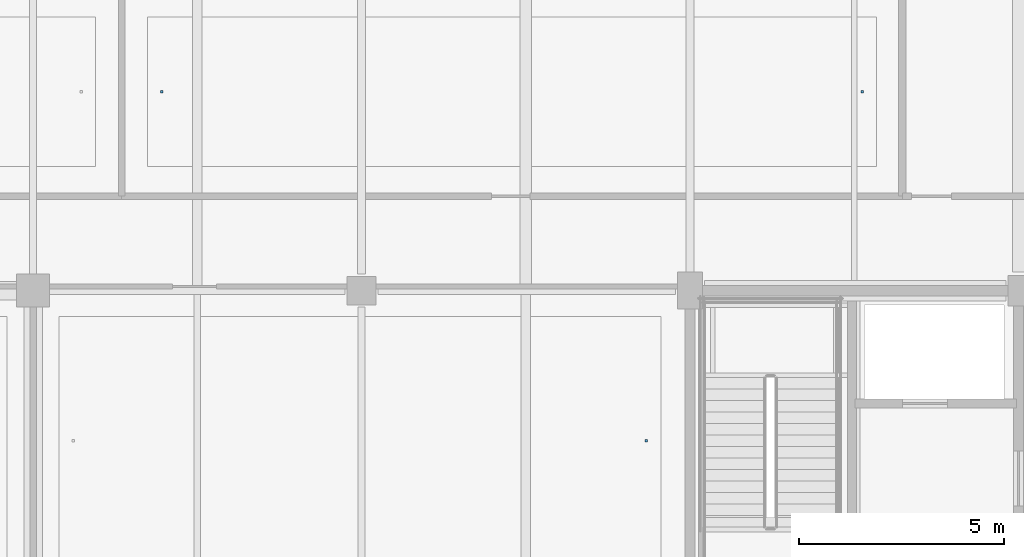
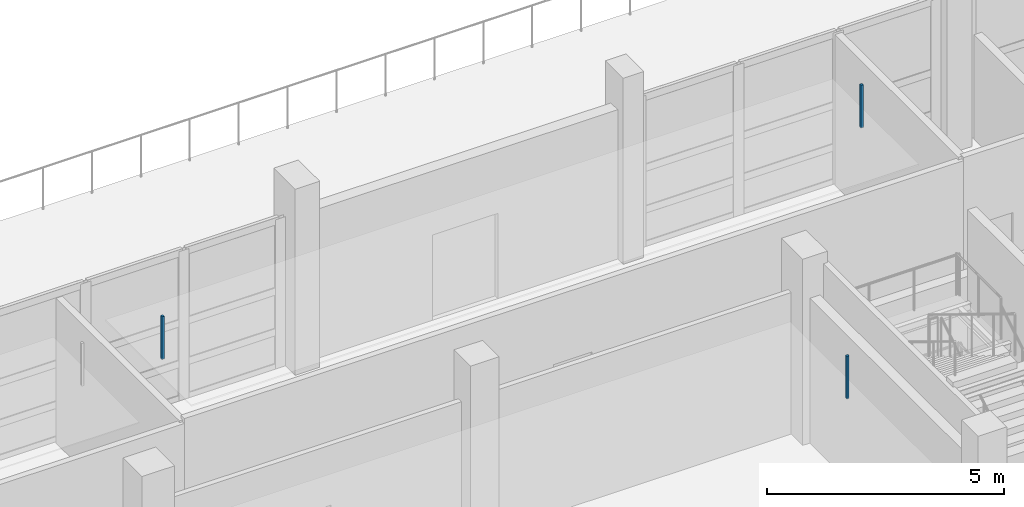
# One storey, part 105 of 147: 3 discrete accessories.
"""IFC4 building model written with IfcOpenShell, lengths in metres."""

from ifc_helpers import new_model, si_unit, direction, frame, origin, origin_2d, place, context, subcontext, project, spatial, rectangle, extrude, material, type_object, element, save


model = new_model("IFC4")

# Units and contexts
model_context = context("Model", 3, precision=1e-05, world=origin(), true_north=direction((0.0, 1.0)))
body_context = subcontext(model_context, "Body", "Model", "MODEL_VIEW")
ifc_project = project(units=[si_unit("LENGTHUNIT", "METRE"), si_unit("AREAUNIT", "SQUARE_METRE"), si_unit("VOLUMEUNIT", "CUBIC_METRE"), si_unit("PLANEANGLEUNIT", "RADIAN"), si_unit("MASSUNIT", "GRAM", prefix="KILO")], contexts=[model_context])

# Site, building, storey
site_placement = place(None, origin())
site = spatial("IfcSite", under=ifc_project, at=site_placement, CompositionType="ELEMENT")
building_placement = place(site_placement, origin())
building = spatial("IfcBuilding", under=site, at=building_placement, Name="Khelvaren Railside Concert Hall", CompositionType="ELEMENT")
storey_placement = place(building_placement, frame((0.0, 0.0, 5.39990234375)))
storey = spatial("IfcBuildingStorey", under=building, at=storey_placement, Name="L01", CompositionType="ELEMENT", Elevation=5.39990234375)

# Discrete accessories
ifc_material = material(Name="Galvanised steel acoustic ceiling hanger rod", Category="steel")
discrete_accessory_type = type_object("IfcDiscreteAccessoryType", Name="BRK62", PredefinedType="BRACKET", material=ifc_material)
for number, where, z_axis, x_axis, name in (
    (1, (107.135986328125, 12.449951171875, 3.429931640625), (0.0, 0.0, 1.0), (1.0, 0.0, 0.0), "Acoustic Ceiling Suspension Bracket 78-1"),
    (2, (124.194091796875, 12.449951171875, 3.429931640625), (0.0, 0.0, 1.0), (1.0, 0.0, 0.0), "Acoustic Ceiling Suspension Bracket 78-2"),
    (3, (118.93994140625, 3.949951171875, 3.429931640625), (0.0, 0.0, 1.0), (1.0, 0.0, 0.0), "Acoustic Ceiling Suspension Bracket 81-2"),
):
    element("IfcDiscreteAccessory", number, at=place(storey_placement, frame(where, z_axis=z_axis, x_axis=x_axis)), inside=storey, type_object=discrete_accessory_type, Name=name, PredefinedType="BRACKET", context=body_context, shape_type="SweptSolid", body=[
        extrude(rectangle(XDim=0.06005859375, YDim=0.06005859375, at=origin_2d()), origin(), (0.0, 0.0, 1.0), 1.10009765625),
    ])

save(model, "model.ifc")
